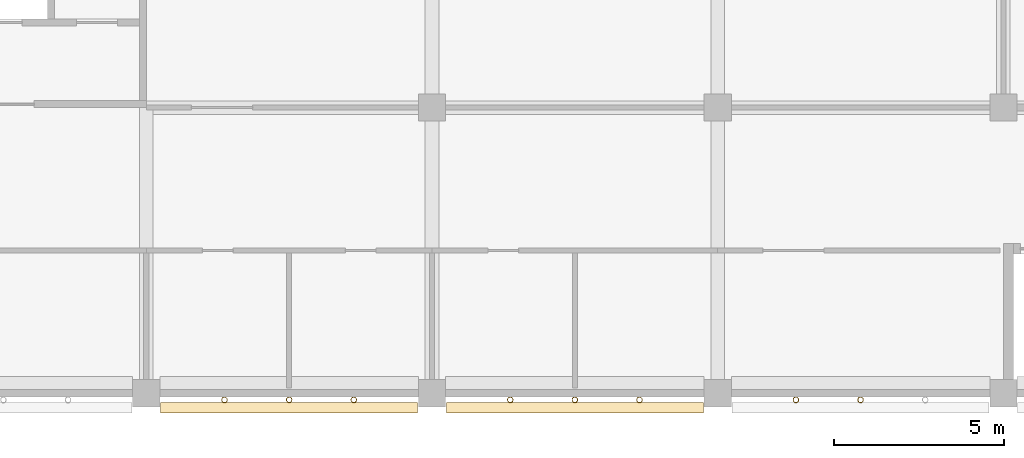
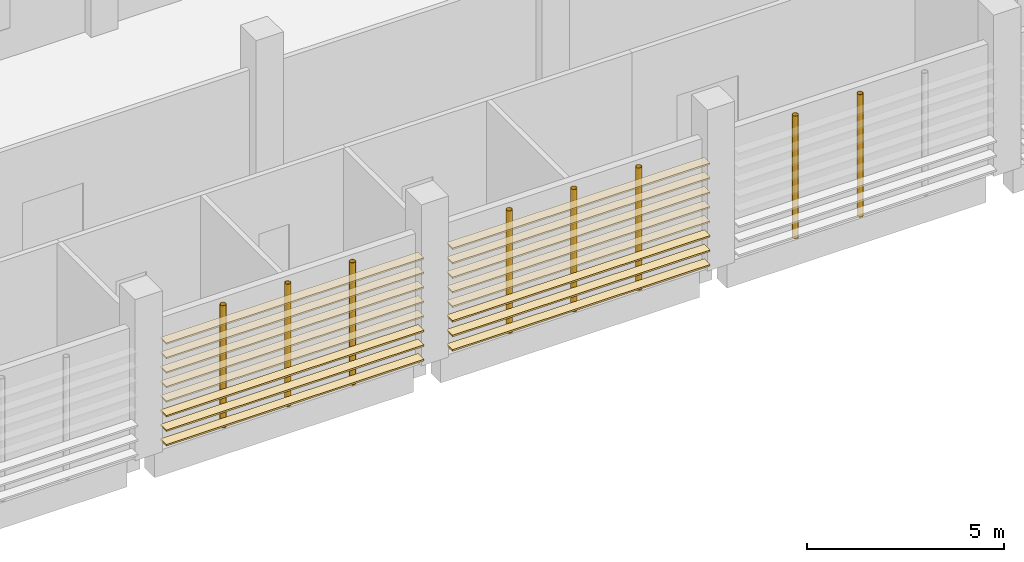
# One storey, part 68 of 101: 16 coverings, 8 shading devices.
"""IFC4 building model written with IfcOpenShell, lengths in metres."""

from ifc_helpers import new_model, si_unit, direction, frame, origin, origin_2d, place, context, subcontext, project, spatial, rectangle, hollow_circle, extrude, material, material_profile, profile_set, type_object, element, save


model = new_model("IFC4")

# Units and contexts
model_context = context("Model", 3, precision=1e-05, world=origin(), true_north=direction((0.0, 1.0)))
body_context = subcontext(model_context, "Body", "Model", "MODEL_VIEW")
ifc_project = project(units=[si_unit("LENGTHUNIT", "METRE"), si_unit("AREAUNIT", "SQUARE_METRE"), si_unit("VOLUMEUNIT", "CUBIC_METRE"), si_unit("PLANEANGLEUNIT", "RADIAN"), si_unit("MASSUNIT", "GRAM", prefix="KILO")], contexts=[model_context])

# Site, building, storey
site_placement = place(None, origin())
site = spatial("IfcSite", under=ifc_project, at=site_placement, CompositionType="ELEMENT")
building_placement = place(site_placement, origin())
building = spatial("IfcBuilding", under=site, at=building_placement, Name="Almond Square Museum", CompositionType="ELEMENT")
storey_placement = place(building_placement, frame((0.0, 0.0, 5.5)))
storey = spatial("IfcBuildingStorey", under=building, at=storey_placement, Name="L01", CompositionType="ELEMENT", Elevation=5.5)

# Shading devices
ifc_material_1 = material(Name="Structural steel S355", Category="steel")
ifc_material_profile_1 = material_profile(ifc_material_1, hollow_circle(Radius=0.084228515625, WallThickness=0.008056640625, at=origin_2d()))
ifc_profile_set_1 = profile_set([ifc_material_profile_1], Name="Structural steel S355")
shading_device_type = type_object("IfcShadingDeviceType", Name="Louvre post CHS 168.3 x 8", PredefinedType="USERDEFINED", material=ifc_profile_set_1)
for number, where, z_axis, x_axis, name in (
    (1, (67.10009765625, -0.194091796875, 0.0), (0.0, 0.0, 1.0), (1.0, 0.0, 0.0), "Louvre screen post"),
    (2, (69.0, -0.194091796875, 0.0), (0.0, 0.0, 1.0), (1.0, 0.0, 0.0), "Louvre screen post"),
    (3, (70.89990234375, -0.194091796875, 0.0), (0.0, 0.0, 1.0), (1.0, 0.0, 0.0), "Louvre screen post"),
    (4, (75.5, -0.194091796875, 0.0), (0.0, 0.0, 1.0), (1.0, 0.0, 0.0), "Louvre screen post"),
    (5, (77.39990234375, -0.194091796875, 0.0), (0.0, 0.0, 1.0), (1.0, 0.0, 0.0), "Louvre screen post"),
    (6, (79.300048828125, -0.194091796875, 0.0), (0.0, 0.0, 1.0), (1.0, 0.0, 0.0), "Louvre screen post"),
    (7, (83.89990234375, -0.194091796875, 0.0), (0.0, 0.0, 1.0), (1.0, 0.0, 0.0), "Louvre screen post"),
    (8, (85.800048828125, -0.194091796875, 0.0), (0.0, 0.0, 1.0), (1.0, 0.0, 0.0), "Louvre screen post"),
):
    element("IfcShadingDevice", number, at=place(storey_placement, frame(where, z_axis=z_axis, x_axis=x_axis)), inside=storey, type_object=shading_device_type, Name=name, ObjectType="POST", PredefinedType="USERDEFINED", context=body_context, shape_type="SweptSolid", body=[
        extrude(hollow_circle(Radius=0.084228515625, WallThickness=0.008056640625, at=origin_2d()), origin(), (0.0, 0.0, 1.0), 3.800048828125),
    ])

# Coverings
ifc_material_2 = material(Name="Cedar timber louvre board", Category="wood")
ifc_material_profile_2 = material_profile(ifc_material_2, rectangle(XDim=0.300048828125, YDim=0.050048828125, at=origin_2d()))
ifc_profile_set_2 = profile_set([ifc_material_profile_2], Name="Cedar timber louvre board")
covering_type = type_object("IfcCoveringType", Name="Louvre screen board 300 x 50", PredefinedType="CLADDING", material=ifc_profile_set_2)
for number, where, z_axis, x_axis, name in (
    (9, (65.219970703125, -0.42431640625, 0.300048828125), (1.0, 0.0, 0.0), (0.0, 1.0, 0.0), "Louvre screen board"),
    (10, (65.219970703125, -0.42431640625, 0.75), (1.0, 0.0, 0.0), (0.0, 1.0, 0.0), "Louvre screen board"),
    (11, (65.219970703125, -0.42431640625, 1.199951171875), (1.0, 0.0, 0.0), (0.0, 1.0, 0.0), "Louvre screen board"),
    (12, (65.219970703125, -0.42431640625, 1.64990234375), (1.0, 0.0, 0.0), (0.0, 1.0, 0.0), "Louvre screen board"),
    (13, (65.219970703125, -0.42431640625, 2.10009765625), (1.0, 0.0, 0.0), (0.0, 1.0, 0.0), "Louvre screen board"),
    (14, (65.219970703125, -0.42431640625, 2.550048828125), (1.0, 0.0, 0.0), (0.0, 1.0, 0.0), "Louvre screen board"),
    (15, (65.219970703125, -0.42431640625, 3.0), (1.0, 0.0, 0.0), (0.0, 1.0, 0.0), "Louvre screen board"),
    (16, (65.219970703125, -0.42431640625, 3.449951171875), (1.0, 0.0, 0.0), (0.0, 1.0, 0.0), "Louvre screen board"),
):
    element("IfcCovering", number, at=place(storey_placement, frame(where, z_axis=z_axis, x_axis=x_axis)), inside=storey, type_object=covering_type, Name=name, PredefinedType="CLADDING", context=body_context, shape_type="SweptSolid", body=[
        extrude(rectangle(XDim=0.300048828125, YDim=0.050048828125, at=origin_2d()), origin(), (0.0, 0.0, 1.0), 7.56005859375),
    ])
for number, where, z_axis, x_axis, name in (
    (17, (73.6201171875, -0.42431640625, 0.300048828125), (1.0, 0.0, 0.0), (0.0, 1.0, 0.0), "Louvre screen board"),
    (18, (73.6201171875, -0.42431640625, 0.75), (1.0, 0.0, 0.0), (0.0, 1.0, 0.0), "Louvre screen board"),
    (19, (73.6201171875, -0.42431640625, 1.199951171875), (1.0, 0.0, 0.0), (0.0, 1.0, 0.0), "Louvre screen board"),
    (20, (73.6201171875, -0.42431640625, 1.64990234375), (1.0, 0.0, 0.0), (0.0, 1.0, 0.0), "Louvre screen board"),
    (21, (73.6201171875, -0.42431640625, 2.10009765625), (1.0, 0.0, 0.0), (0.0, 1.0, 0.0), "Louvre screen board"),
    (22, (73.6201171875, -0.42431640625, 2.550048828125), (1.0, 0.0, 0.0), (0.0, 1.0, 0.0), "Louvre screen board"),
    (23, (73.6201171875, -0.42431640625, 3.0), (1.0, 0.0, 0.0), (0.0, 1.0, 0.0), "Louvre screen board"),
    (24, (73.6201171875, -0.42431640625, 3.449951171875), (1.0, 0.0, 0.0), (0.0, 1.0, 0.0), "Louvre screen board"),
):
    element("IfcCovering", number, at=place(storey_placement, frame(where, z_axis=z_axis, x_axis=x_axis)), inside=storey, type_object=covering_type, Name=name, PredefinedType="CLADDING", context=body_context, shape_type="SweptSolid", body=[
        extrude(rectangle(XDim=0.300048828125, YDim=0.050048828125, at=origin_2d()), origin(), (0.0, 0.0, 1.0), 7.559814453125),
    ])

save(model, "model.ifc")
